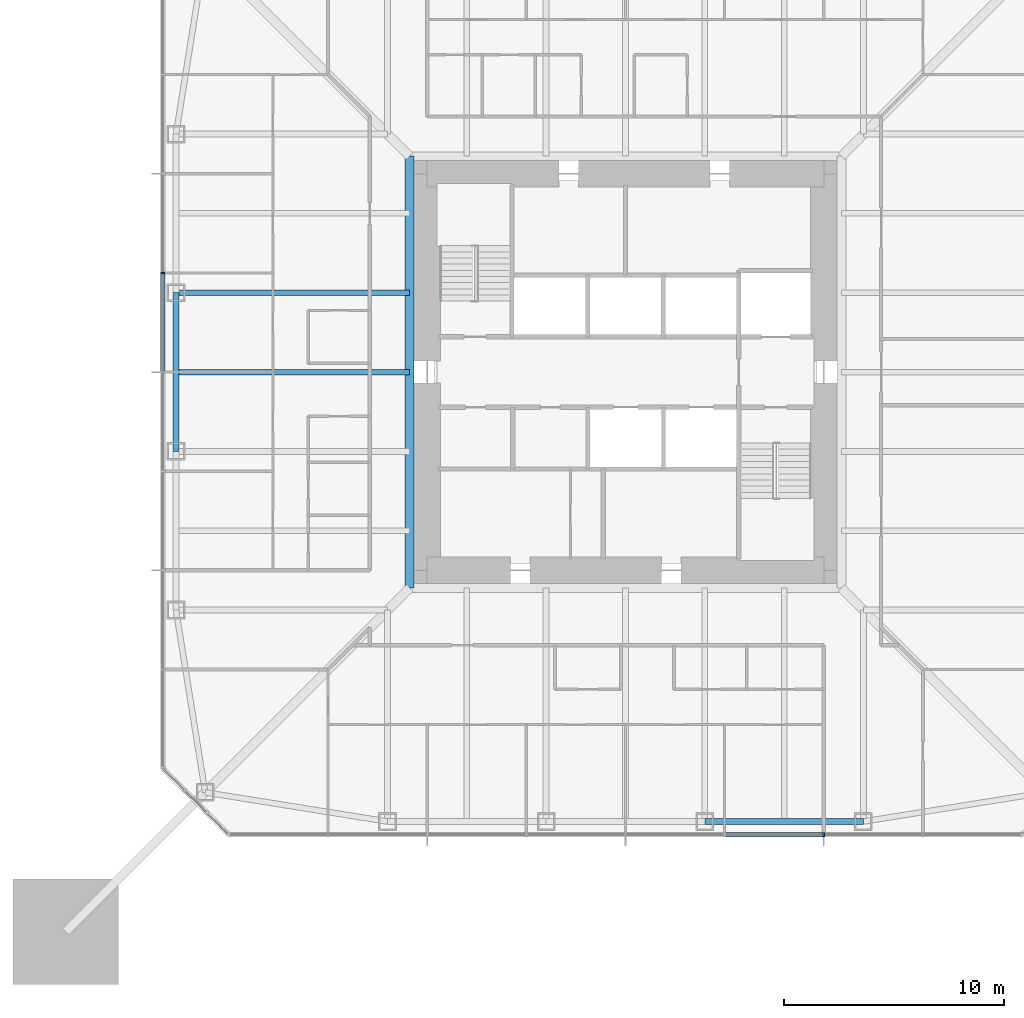
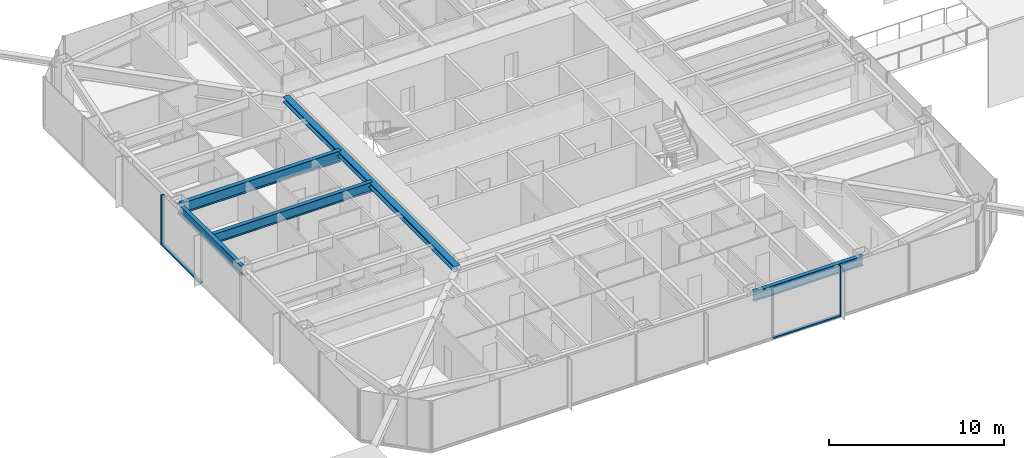
# One storey, part 4 of 23: 5 beams, 4 members, 2 elements without a shape of their own.
"""IFC4 building model written with IfcOpenShell, lengths in metres."""

from ifc_helpers import new_model, si_unit, direction, frame, origin, origin_2d, place, context, subcontext, project, spatial, rectangle, i_section, extrude, material, material_profile, profile_set, type_object, element, aggregate, save


model = new_model("IFC4")

# Units and contexts
model_context = context("Model", 3, precision=1e-05, world=origin(), true_north=direction((0.0, 1.0)))
body_context = subcontext(model_context, "Body", "Model", "MODEL_VIEW")
ifc_project = project(units=[si_unit("LENGTHUNIT", "METRE"), si_unit("AREAUNIT", "SQUARE_METRE"), si_unit("VOLUMEUNIT", "CUBIC_METRE"), si_unit("PLANEANGLEUNIT", "RADIAN"), si_unit("MASSUNIT", "GRAM", prefix="KILO")], contexts=[model_context])

# Site, building, storey
site_placement = place(None, origin())
site = spatial("IfcSite", under=ifc_project, at=site_placement, CompositionType="ELEMENT")
building_placement = place(site_placement, origin())
building = spatial("IfcBuilding", under=site, at=building_placement, Name="Iwan Alto Co-Living Towers", CompositionType="ELEMENT")
storey_placement = place(building_placement, frame((0.0, 0.0, 129.5)))
storey = spatial("IfcBuildingStorey", under=building, at=storey_placement, Name="L35", CompositionType="ELEMENT", Elevation=129.5)

# Curtain wall, member
ifc_material_1 = material(Name="Bronze aluminium unitised frame", Category="aluminium")
curtain_wall_type = type_object("IfcCurtainWallType", Name="CURTAIN WALL CW-A", PredefinedType="NOTDEFINED", material=ifc_material_1)
curtain_wall_1_placement = place(storey_placement, origin())
curtain_wall_1 = element("IfcCurtainWall", 1, at=curtain_wall_1_placement, inside=storey, type_object=curtain_wall_type, Name="T1 curtain wall S L35", PredefinedType="NOTDEFINED")
ifc_material_2 = material(Name="Aluminium 6063-T6 bronze anodised", Category="aluminium")
ifc_material_profile_1 = material_profile(ifc_material_2, rectangle(XDim=0.199951171875, YDim=0.080078125, at=origin_2d()), Name="AL 80X200")
ifc_profile_set_1 = profile_set([ifc_material_profile_1], Name="Aluminium 6063-T6 bronze anodised")
member_type_1 = type_object("IfcMemberType", Name="CW-A MULLION 80X200", PredefinedType="MULLION", material=ifc_profile_set_1)
member_1_placement = place(storey_placement, frame((9.0, -21.0, 0.0), z_axis=(0.0, 0.0, 1.0), x_axis=(0.0, 1.0, 0.0)))
member_1 = element("IfcMember", 2, at=member_1_placement, type_object=member_type_1, Name="CW-A mullion 7", PredefinedType="MULLION", context=body_context, shape_type="SweptSolid", body=[
    extrude(rectangle(XDim=0.199951171875, YDim=0.080078125, at=origin_2d()), origin(), (0.0, 0.0, 1.0), 3.5),
])

curtain_wall_2_placement = place(storey_placement, origin())
curtain_wall_2 = element("IfcCurtainWall", 3, at=curtain_wall_2_placement, inside=storey, type_object=curtain_wall_type, Name="T1 curtain wall W L35", PredefinedType="NOTDEFINED")
member_2_placement = place(storey_placement, frame((-21.0, 4.5, 0.0), z_axis=(0.0, 0.0, 1.0), x_axis=(1.0, 0.0, 0.0)))
member_2 = element("IfcMember", 4, at=member_2_placement, type_object=member_type_1, Name="CW-A mullion 4", PredefinedType="MULLION", context=body_context, shape_type="SweptSolid", body=[
    extrude(rectangle(XDim=0.199951171875, YDim=0.080078125, at=origin_2d()), origin(), (0.0, 0.0, 1.0), 3.5),
])

# Member
ifc_material_3 = material(Name="Aluminium 6063-T6 bronze anodised", Category="aluminium")
ifc_material_profile_2 = material_profile(ifc_material_3, rectangle(XDim=0.199951171875, YDim=0.10009765625, at=origin_2d()), Name="AL 200X100")
ifc_profile_set_2 = profile_set([ifc_material_profile_2], Name="Aluminium 6063-T6 bronze anodised")
member_type_2 = type_object("IfcMemberType", Name="CW-A TRANSOM 200X100", PredefinedType="USERDEFINED", material=ifc_profile_set_2)
member_3_placement = place(storey_placement, frame((4.5400390625, -21.0, 0.050048828125), z_axis=(1.0, 0.0, 0.0), x_axis=(0.0, 1.0, 0.0)))
member_3 = element("IfcMember", 5, at=member_3_placement, type_object=member_type_2, Name="CW-A transom 6.1", ObjectType="TRANSOM", PredefinedType="USERDEFINED", context=body_context, shape_type="SweptSolid", body=[
    extrude(rectangle(XDim=0.199951171875, YDim=0.10009765625, at=origin_2d()), origin(), (0.0, 0.0, 1.0), 4.419921875),
])

aggregate(curtain_wall_1, [member_1, member_3])

member_4_placement = place(storey_placement, frame((-21.0, 4.4599609375, 0.050048828125), z_axis=(0.0, -1.0, 0.0), x_axis=(1.0, 0.0, 0.0)))
member_4 = element("IfcMember", 6, at=member_4_placement, type_object=member_type_2, Name="CW-A transom 4.1", ObjectType="TRANSOM", PredefinedType="USERDEFINED", context=body_context, shape_type="SweptSolid", body=[
    extrude(rectangle(XDim=0.199951171875, YDim=0.10009765625, at=origin_2d()), origin(), (0.0, 0.0, 1.0), 4.419921875),
])

aggregate(curtain_wall_2, [member_2, member_4])

# Beams
ifc_material_4 = material(Name="Steel ASTM A992 Gr 50", Category="steel")
ifc_material_profile_3 = material_profile(ifc_material_4, i_section(OverallWidth=0.398681640625, OverallDepth=0.385986328125, WebThickness=0.02099609375, FlangeThickness=0.033203125, at=origin_2d()), Name="W14X176")
ifc_profile_set_3 = profile_set([ifc_material_profile_3], Name="Steel ASTM A992 Gr 50")
beam_type_1 = type_object("IfcBeamType", Name="T1 CORE LEDGER BEAM W14X176", PredefinedType="BEAM", material=ifc_profile_set_3)
beam_1_placement = place(storey_placement, frame((-9.79931640625, 9.79931640625, 3.076904296875), z_axis=(0.0, -1.0, 0.0), x_axis=(1.0, 0.0, 0.0)))
element("IfcBeam", 7, at=beam_1_placement, inside=storey, type_object=beam_type_1, Name="T1 core ledger beam W L36", PredefinedType="BEAM", context=body_context, shape_type="SweptSolid", body=[
    extrude(i_section(OverallWidth=0.398681640625, OverallDepth=0.385986328125, WebThickness=0.02099609375, FlangeThickness=0.033203125, at=origin_2d()), origin(), (0.0, 0.0, 1.0), 19.5986328125),
])
ifc_material_5 = material(Name="Steel ASTM A992 Gr 50", Category="steel")
ifc_material_profile_4 = material_profile(ifc_material_5, i_section(OverallWidth=0.25390625, OverallDepth=0.683349609375, WebThickness=0.012451171875, FlangeThickness=0.018798828125, at=origin_2d()), Name="W27X94")
ifc_profile_set_4 = profile_set([ifc_material_profile_4], Name="Steel ASTM A992 Gr 50")
beam_type_2 = type_object("IfcBeamType", Name="T1 EDGE BEAM W27X94", PredefinedType="BEAM", material=ifc_profile_set_4)
beam_2_placement = place(storey_placement, frame((3.60009765625, -20.39990234375, 2.928466796875), z_axis=(1.0, 0.0, 0.0), x_axis=(0.0, 1.0, 0.0)))
element("IfcBeam", 8, at=beam_2_placement, inside=storey, type_object=beam_type_2, Name="T1 edge beam S3 L36", PredefinedType="BEAM", context=body_context, shape_type="SweptSolid", body=[
    extrude(i_section(OverallWidth=0.25390625, OverallDepth=0.683349609375, WebThickness=0.012451171875, FlangeThickness=0.018798828125, at=origin_2d()), origin(), (0.0, 0.0, 1.0), 7.199951171875),
])
beam_3_placement = place(storey_placement, frame((-20.39990234375, 3.60009765625, 2.928466796875), z_axis=(0.0, -1.0, 0.0), x_axis=(1.0, 0.0, 0.0)))
element("IfcBeam", 9, at=beam_3_placement, inside=storey, type_object=beam_type_2, Name="T1 edge beam W2 L36", PredefinedType="BEAM", context=body_context, shape_type="SweptSolid", body=[
    extrude(i_section(OverallWidth=0.25390625, OverallDepth=0.683349609375, WebThickness=0.012451171875, FlangeThickness=0.018798828125, at=origin_2d()), origin(), (0.0, 0.0, 1.0), 7.2001953125),
])
ifc_material_6 = material(Name="Steel ASTM A992 Gr 50", Category="steel")
ifc_material_profile_5 = material_profile(ifc_material_6, i_section(OverallWidth=0.2666015625, OverallDepth=0.761962890625, WebThickness=0.014404296875, FlangeThickness=0.021484375, at=origin_2d()), Name="W30X116")
ifc_profile_set_5 = profile_set([ifc_material_profile_5], Name="Steel ASTM A992 Gr 50")
beam_type_3 = type_object("IfcBeamType", Name="T1 RADIAL BEAM W30X116", PredefinedType="BEAM", material=ifc_profile_set_5)
beam_4_placement = place(storey_placement, frame((-20.39990234375, 3.60009765625, 2.888916015625), z_axis=(1.0, 0.0, 0.0), x_axis=(0.0, 1.0, 0.0)))
element("IfcBeam", 10, at=beam_4_placement, inside=storey, type_object=beam_type_3, Name="T1 radial beam W2 L36", PredefinedType="BEAM", context=body_context, shape_type="SweptSolid", body=[
    extrude(i_section(OverallWidth=0.2666015625, OverallDepth=0.761962890625, WebThickness=0.014404296875, FlangeThickness=0.021484375, at=origin_2d()), origin(), (0.0, 0.0, 1.0), 10.6005859375),
])
ifc_material_7 = material(Name="Steel ASTM A992 Gr 50", Category="steel")
ifc_material_profile_6 = material_profile(ifc_material_7, i_section(OverallWidth=0.25390625, OverallDepth=0.683349609375, WebThickness=0.012451171875, FlangeThickness=0.018798828125, at=origin_2d()), Name="W27X94")
ifc_profile_set_6 = profile_set([ifc_material_profile_6], Name="Steel ASTM A992 Gr 50")
beam_type_4 = type_object("IfcBeamType", Name="T1 SECONDARY BEAM W27X94", PredefinedType="JOIST", material=ifc_profile_set_6)
beam_5_placement = place(storey_placement, frame((-20.39990234375, 0.0, 2.928466796875), z_axis=(1.0, 0.0, 0.0), x_axis=(0.0, 1.0, 0.0)))
element("IfcBeam", 11, at=beam_5_placement, inside=storey, type_object=beam_type_4, Name="T1 secondary beam W2 L36", PredefinedType="JOIST", context=body_context, shape_type="SweptSolid", body=[
    extrude(i_section(OverallWidth=0.25390625, OverallDepth=0.683349609375, WebThickness=0.012451171875, FlangeThickness=0.018798828125, at=origin_2d()), origin(), (0.0, 0.0, 1.0), 10.6005859375),
])

save(model, "model.ifc")
